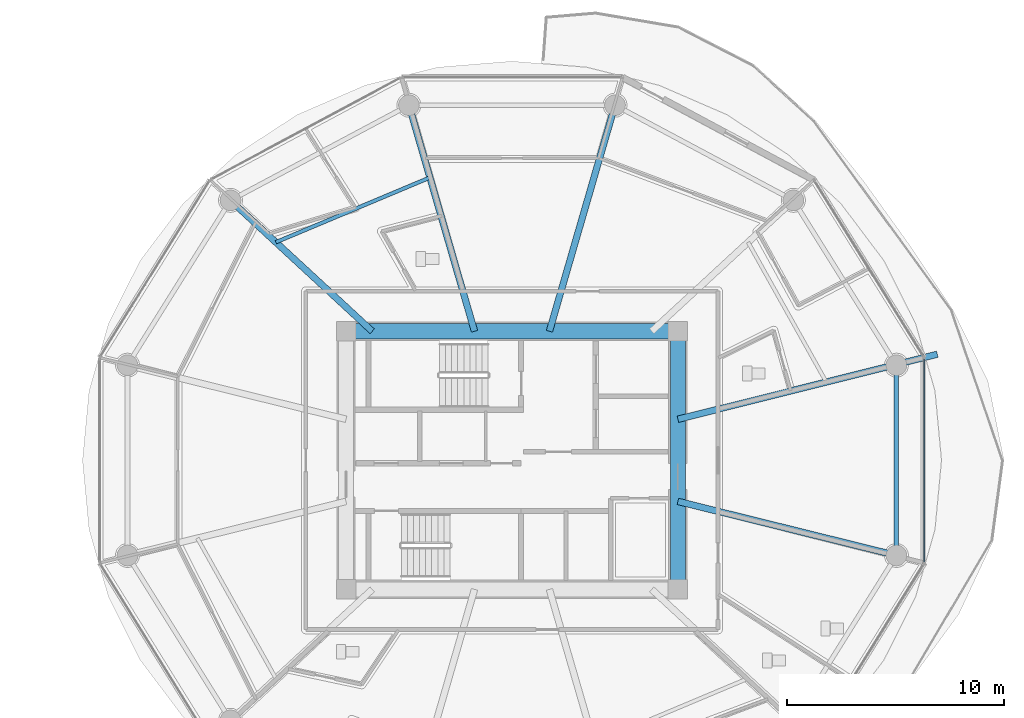
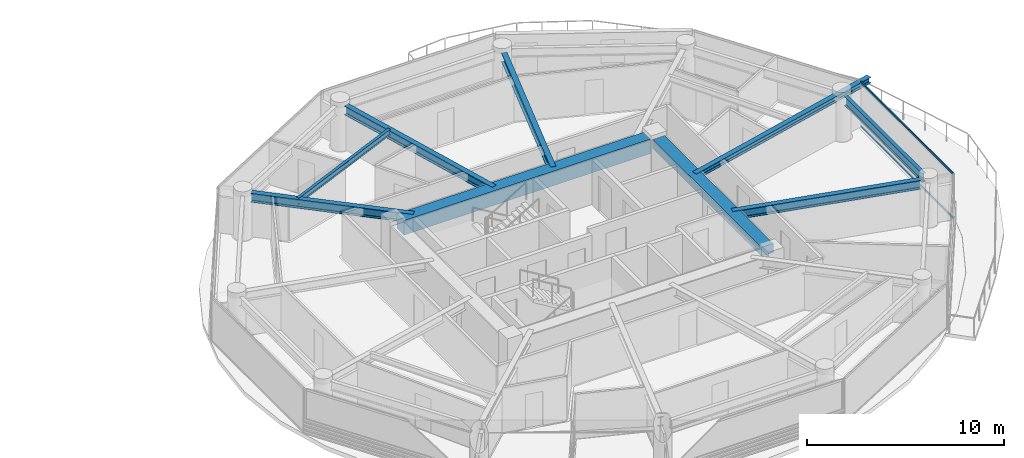
# One storey, part 12 of 31: 9 beams, 2 members, 1 element without a shape of its own.
"""IFC4 building model written with IfcOpenShell, lengths in metres."""

from ifc_helpers import new_model, si_unit, direction, frame, origin, origin_2d, place, context, subcontext, project, spatial, rectangle, i_section, extrude, source, transform, mapped, material, layer, layer_set, material_profile, profile_set, type_object, type_shapes, element, aggregate, save


model = new_model("IFC4")

# Units and contexts
model_context = context("Model", 3, precision=1e-05, world=origin(), true_north=direction((0.0, 1.0)))
body_context = subcontext(model_context, "Body", "Model", "MODEL_VIEW")
ifc_project = project(units=[si_unit("LENGTHUNIT", "METRE"), si_unit("AREAUNIT", "SQUARE_METRE"), si_unit("VOLUMEUNIT", "CUBIC_METRE"), si_unit("PLANEANGLEUNIT", "RADIAN"), si_unit("MASSUNIT", "GRAM", prefix="KILO")], contexts=[model_context])

# Site, building, storey
site_placement = place(None, origin())
site = spatial("IfcSite", under=ifc_project, at=site_placement, CompositionType="ELEMENT")
building_placement = place(site_placement, origin())
building = spatial("IfcBuilding", under=site, at=building_placement, Name="Norrkilde Senior Care Towers", CompositionType="ELEMENT")
storey_placement = place(building_placement, frame((0.0, 0.0, 42.949951171875)))
storey = spatial("IfcBuildingStorey", under=building, at=storey_placement, Name="L12", CompositionType="ELEMENT", Elevation=42.949951171875)

# Beams
ifc_material_1 = material(Name="Concrete C60/75", Category="concrete")
ifc_material_profile_1 = material_profile(ifc_material_1, rectangle(XDim=0.699951171875, YDim=0.89990234375, at=origin_2d()), Name="RC BM 700x900")
ifc_profile_set_1 = profile_set([ifc_material_profile_1], Name="Concrete C60/75")
beam_type_1 = type_object("IfcBeamType", Name="Core Coupling Girder 700x900", PredefinedType="USERDEFINED", material=ifc_profile_set_1)
shared_shape_1 = source(origin(), body_context, "Body", "SweptSolid", [
    extrude(rectangle(XDim=0.699951171875, YDim=0.89990234375, at=origin_2d()), origin(), (0.0, 0.0, 1.0), 14.43994140625),
])
type_shapes(beam_type_1, [shared_shape_1])
beam_1_placement = place(storey_placement, frame((20.780029296875, 5.949951171875, 2.340087890625), z_axis=(1.0, 0.0, 0.0), x_axis=(0.0, 1.0, 0.0)))
element("IfcBeam", 1, at=beam_1_placement, inside=storey, type_object=beam_type_1, Name="L12 Core E N Coupling Girder", ObjectType="GIRDER", PredefinedType="USERDEFINED", context=body_context, shape_type="MappedRepresentation", body=[
    mapped(shared_shape_1, transform((0.0, 0.0, 0.0), x_axis=(1.0, 0.0, 0.0), y_axis=(0.0, 1.0, 0.0), z_axis=(0.0, 0.0, 1.0), scale=1.0)),
])
ifc_material_profile_2 = material_profile(ifc_material_1, rectangle(XDim=0.699951171875, YDim=0.550048828125, at=origin_2d()), Name="RC BM 700x550")
ifc_profile_set_2 = profile_set([ifc_material_profile_2], Name="Concrete C60/75")
beam_type_2 = type_object("IfcBeamType", Name="Core Portal Coupling Beam 700x550", PredefinedType="USERDEFINED", material=ifc_profile_set_2)
shared_shape_2 = source(origin(), body_context, "Body", "SweptSolid", [
    extrude(rectangle(XDim=0.699951171875, YDim=0.550048828125, at=origin_2d()), origin(), (0.0, 0.0, 1.0), 11.0400390625),
])
type_shapes(beam_type_2, [shared_shape_2])
beam_2_placement = place(storey_placement, frame((35.64990234375, -5.52001953125, 2.51513671875), z_axis=(0.0, 1.0, 0.0), x_axis=(-1.0, 0.0, 0.0)))
element("IfcBeam", 2, at=beam_2_placement, inside=storey, type_object=beam_type_2, Name="L12 Core E E Coupling Girder", ObjectType="GIRDER", PredefinedType="USERDEFINED", context=body_context, shape_type="MappedRepresentation", body=[
    mapped(shared_shape_2, transform((0.0, 0.0, 0.0), x_axis=(1.0, 0.0, 0.0), y_axis=(0.0, 1.0, 0.0), z_axis=(0.0, 0.0, 1.0), scale=1.0)),
])
ifc_material_2 = material(Name="Steel S355", Category="steel")
ifc_material_profile_3 = material_profile(ifc_material_2, i_section(OverallWidth=0.300048828125, OverallDepth=0.550048828125, WebThickness=0.014892578125, FlangeThickness=0.029052734375, FilletRadius=0.027099609375, at=origin_2d()), Name="HEB 550")
ifc_profile_set_3 = profile_set([ifc_material_profile_3], Name="Steel S355")
beam_type_3 = type_object("IfcBeamType", Name="Radial Floor Beam Z1 HEB550", PredefinedType="BEAM", material=ifc_profile_set_3)
shared_shape_3 = source(origin(), body_context, "Body", "SweptSolid", [
    extrude(i_section(OverallWidth=0.300048828125, OverallDepth=0.550048828125, WebThickness=0.014892578125, FlangeThickness=0.029052734375, FilletRadius=0.027099609375, at=origin_2d()), origin(), (0.0, 0.0, 1.0), 9.94384765625),
])
beam_3_placement = place(storey_placement, frame((35.64990234375, -1.893310546875, 2.51513671875), z_axis=(0.970707425182, -0.240264634718, 0.0), x_axis=(0.240264634718, 0.970707425182, 0.0)))
element("IfcBeam", 3, at=beam_3_placement, inside=storey, type_object=beam_type_3, Name="L12 Drum E Radial Floor Beam 12", PredefinedType="BEAM", context=body_context, shape_type="MappedRepresentation", body=[
    mapped(shared_shape_3, transform((0.0, 0.0, 0.0), x_axis=(1.0, 0.0, 0.0), y_axis=(0.0, 1.0, 0.0), z_axis=(0.0, 0.0, 1.0), scale=1.0)),
])
shared_shape_4 = source(origin(), body_context, "Body", "SweptSolid", [
    extrude(i_section(OverallWidth=0.300048828125, OverallDepth=0.550048828125, WebThickness=0.014892578125, FlangeThickness=0.029052734375, FilletRadius=0.027099609375, at=origin_2d()), origin(), (0.0, 0.0, 1.0), 8.459716796875),
])
beam_4_placement = place(storey_placement, frame((21.55859375, 5.949951171875, 2.51513671875), z_axis=(-0.734573269108, 0.678529374686, 0.0), x_axis=(-0.678529374686, -0.734573269108, 0.0)))
element("IfcBeam", 4, at=beam_4_placement, inside=storey, type_object=beam_type_3, Name="L12 Drum E Radial Floor Beam 05", PredefinedType="BEAM", context=body_context, shape_type="MappedRepresentation", body=[
    mapped(shared_shape_4, transform((0.0, 0.0, 0.0), x_axis=(1.0, 0.0, 0.0), y_axis=(0.0, 1.0, 0.0), z_axis=(0.0, 0.0, 1.0), scale=1.0)),
])
shared_shape_5 = source(origin(), body_context, "Body", "SweptSolid", [
    extrude(i_section(OverallWidth=0.300048828125, OverallDepth=0.550048828125, WebThickness=0.014892578125, FlangeThickness=0.029052734375, FilletRadius=0.027099609375, at=origin_2d()), origin(), (0.0, 0.0, 1.0), 10.4169921875),
])
type_shapes(beam_type_3, [shared_shape_3, shared_shape_4, shared_shape_5])
for number, where, z_axis, x_axis, name in (
    (5, (29.72607421875, 5.949951171875, 2.51513671875), (0.278591250785, 0.960409764104, 0.0), (-0.960409764104, 0.278591250785, 0.0), "L12 Drum E Radial Floor Beam 03"),
    (6, (26.27392578125, 5.949951171875, 2.51513671875), (-0.278591250785, 0.960409764104, 0.0), (-0.960409764104, -0.278591250785, 0.0), "L12 Drum E Radial Floor Beam 04"),
):
    element("IfcBeam", number, at=place(storey_placement, frame(where, z_axis=z_axis, x_axis=x_axis)), inside=storey, type_object=beam_type_3, Name=name, PredefinedType="BEAM", context=body_context, shape_type="MappedRepresentation", body=[
        mapped(shared_shape_5, transform((0.0, 0.0, 0.0), x_axis=(1.0, 0.0, 0.0), y_axis=(0.0, 1.0, 0.0), z_axis=(0.0, 0.0, 1.0), scale=1.0)),
    ])
ifc_material_profile_4 = material_profile(ifc_material_2, i_section(OverallWidth=0.2099609375, OverallDepth=0.550048828125, WebThickness=0.010986328125, FlangeThickness=0.01708984375, FilletRadius=0.02392578125, at=origin_2d()), Name="IPE 550")
ifc_profile_set_4 = profile_set([ifc_material_profile_4], Name="Steel S355")
beam_type_4 = type_object("IfcBeamType", Name="Perimeter Ring Spandrel Z1 IPE550", PredefinedType="SPANDREL", material=ifc_profile_set_4)
shared_shape_6 = source(origin(), body_context, "Body", "SweptSolid", [
    extrude(i_section(OverallWidth=0.2099609375, OverallDepth=0.550048828125, WebThickness=0.010986328125, FlangeThickness=0.01708984375, FilletRadius=0.02392578125, at=origin_2d()), origin(), (0.0, 0.0, 1.0), 7.90380859375),
])
type_shapes(beam_type_4, [shared_shape_6])
beam_5_placement = place(storey_placement, frame((45.724853515625, -3.951904296875, 2.51513671875), z_axis=(0.0, 1.0, 0.0), x_axis=(-1.0, 0.0, 0.0)))
element("IfcBeam", 7, at=beam_5_placement, inside=storey, type_object=beam_type_4, Name="L12 Drum E Perimeter Spandrel 12", PredefinedType="SPANDREL", context=body_context, shape_type="MappedRepresentation", body=[
    mapped(shared_shape_6, transform((0.0, 0.0, 0.0), x_axis=(1.0, 0.0, 0.0), y_axis=(0.0, 1.0, 0.0), z_axis=(0.0, 0.0, 1.0), scale=1.0)),
])
ifc_material_profile_5 = material_profile(ifc_material_2, i_section(OverallWidth=0.169921875, OverallDepth=0.360107421875, WebThickness=0.008056640625, FlangeThickness=0.0126953125, FilletRadius=0.01806640625, at=origin_2d()), Name="IPE 360")
ifc_profile_set_5 = profile_set([ifc_material_profile_5], Name="Steel S355")
beam_type_5 = type_object("IfcBeamType", Name="Secondary Floor Joist IPE360", PredefinedType="JOIST", material=ifc_profile_set_5)
shared_shape_7 = source(origin(), body_context, "Body", "SweptSolid", [
    extrude(i_section(OverallWidth=0.169921875, OverallDepth=0.360107421875, WebThickness=0.008056640625, FlangeThickness=0.0126953125, FilletRadius=0.01806640625, at=origin_2d()), origin(), (0.0, 0.0, 1.0), 7.703857421875),
])
type_shapes(beam_type_5, [shared_shape_7])
beam_6_placement = place(storey_placement, frame((24.21826171875, 13.037353515625, 2.610107421875), z_axis=(-0.921982784465, -0.387230868023, 0.0), x_axis=(0.387230868023, -0.921982784465, 0.0)))
element("IfcBeam", 8, at=beam_6_placement, inside=storey, type_object=beam_type_5, Name="L12 Drum E Secondary Floor Joist 2", PredefinedType="JOIST", context=body_context, shape_type="MappedRepresentation", body=[
    mapped(shared_shape_7, transform((0.0, 0.0, 0.0), x_axis=(1.0, 0.0, 0.0), y_axis=(0.0, 1.0, 0.0), z_axis=(0.0, 0.0, 1.0), scale=1.0)),
])
ifc_material_profile_6 = material_profile(ifc_material_2, i_section(OverallWidth=0.300048828125, OverallDepth=0.360107421875, WebThickness=0.012451171875, FlangeThickness=0.0224609375, FilletRadius=0.027099609375, at=origin_2d()), Name="HEB 360")
ifc_profile_set_6 = profile_set([ifc_material_profile_6], Name="Steel S355")
beam_type_6 = type_object("IfcBeamType", Name="Balcony Crest Cantilever Rib HEB360", PredefinedType="BEAM", material=ifc_profile_set_6)
shared_shape_8 = source(origin(), body_context, "Body", "SweptSolid", [
    extrude(i_section(OverallWidth=0.300048828125, OverallDepth=0.360107421875, WebThickness=0.012451171875, FlangeThickness=0.0224609375, FilletRadius=0.027099609375, at=origin_2d()), origin(), (0.0, 0.0, 1.0), 12.32861328125),
])
type_shapes(beam_type_6, [shared_shape_8])
beam_7_placement = place(storey_placement, frame((35.64990234375, 1.893310546875, 2.610107421875), z_axis=(0.969976863562, 0.243197212474, 0.0), x_axis=(-0.243197212474, 0.969976863562, 0.0)))
element("IfcBeam", 9, at=beam_7_placement, inside=storey, type_object=beam_type_6, Name="L12 Drum E Balcony Cantilever Rib", PredefinedType="BEAM", context=body_context, shape_type="MappedRepresentation", body=[
    mapped(shared_shape_8, transform((0.0, 0.0, 0.0), x_axis=(1.0, 0.0, 0.0), y_axis=(0.0, 1.0, 0.0), z_axis=(0.0, 0.0, 1.0), scale=1.0)),
])

# Curtain wall, members
ifc_material_3 = material(Name="Triple Low-E Insulated Glazing", Category="glass")
ifc_layer = layer(ifc_material_3, 0.199951171875)
ifc_layer_set = layer_set([ifc_layer], Name="Triple Low-E Insulated Glazing")
curtain_wall_type = type_object("IfcCurtainWallType", Name="CW2 Zone 1 Memory Care Curtain Wall", PredefinedType="NOTDEFINED", material=ifc_layer_set)
curtain_wall_placement = place(storey_placement, origin())
curtain_wall = element("IfcCurtainWall", 10, at=curtain_wall_placement, inside=storey, type_object=curtain_wall_type, Name="L12 Drum E Curtain Wall 11", PredefinedType="NOTDEFINED")
ifc_material_4 = material(Name="Anodised Aluminium", Category="aluminium")
ifc_material_profile_7 = material_profile(ifc_material_4, rectangle(XDim=0.06005859375, YDim=0.1201171875, at=origin_2d()), Name="ALU TRAN 60x120")
ifc_profile_set_7 = profile_set([ifc_material_profile_7], Name="Anodised Aluminium")
member_type = type_object("IfcMemberType", Name="Curtain Wall Transom Typical 60x120", PredefinedType="USERDEFINED", material=ifc_profile_set_7)
shared_shape_9 = source(origin(), body_context, "Body", "SweptSolid", [
    extrude(rectangle(XDim=0.06005859375, YDim=0.1201171875, at=origin_2d()), origin(), (0.0, 0.0, 1.0), 9.33251953125),
])
type_shapes(member_type, [shared_shape_9])
member_1_placement = place(storey_placement, frame((47.009521484375, 4.666259765625, 0.030029296875), z_axis=(0.0, -1.0, 0.0), x_axis=(1.0, 0.0, 0.0)))
member_1 = element("IfcMember", 11, at=member_1_placement, type_object=member_type, Name="CW-2 transom 1.1", ObjectType="TRANSOM", PredefinedType="USERDEFINED", context=body_context, shape_type="MappedRepresentation", body=[
    mapped(shared_shape_9, transform((0.0, 0.0, 0.0), x_axis=(1.0, 0.0, 0.0), y_axis=(0.0, 1.0, 0.0), z_axis=(0.0, 0.0, 1.0), scale=1.0)),
])
member_2_placement = place(storey_placement, frame((47.009521484375, 4.666259765625, 2.760009765625), z_axis=(0.0, -1.0, 0.0), x_axis=(1.0, 0.0, 0.0)))
member_2 = element("IfcMember", 12, at=member_2_placement, type_object=member_type, Name="CW-2 transom 1.2", ObjectType="TRANSOM", PredefinedType="USERDEFINED", context=body_context, shape_type="MappedRepresentation", body=[
    mapped(shared_shape_9, transform((0.0, 0.0, 0.0), x_axis=(1.0, 0.0, 0.0), y_axis=(0.0, 1.0, 0.0), z_axis=(0.0, 0.0, 1.0), scale=1.0)),
])
aggregate(curtain_wall, [member_1, member_2])

save(model, "model.ifc")
